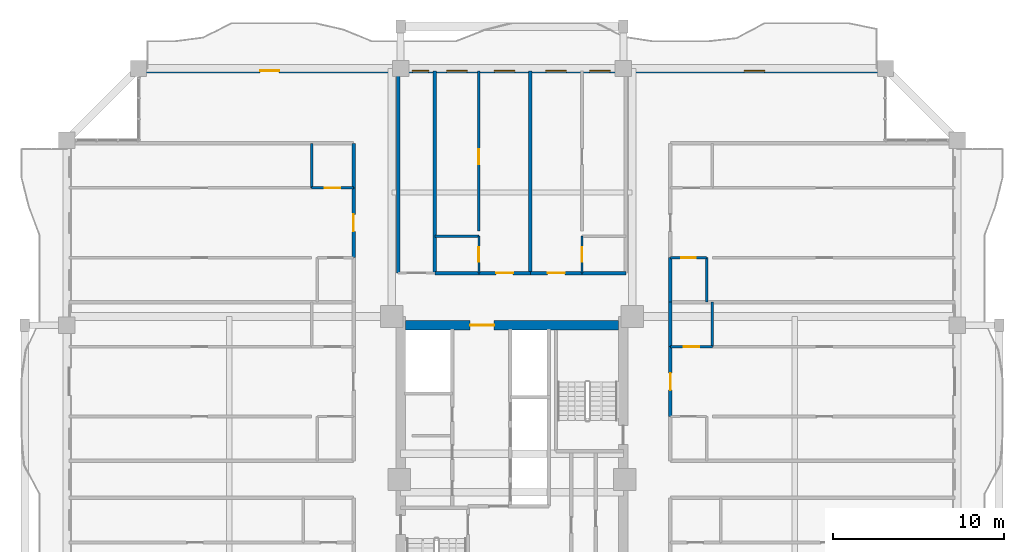
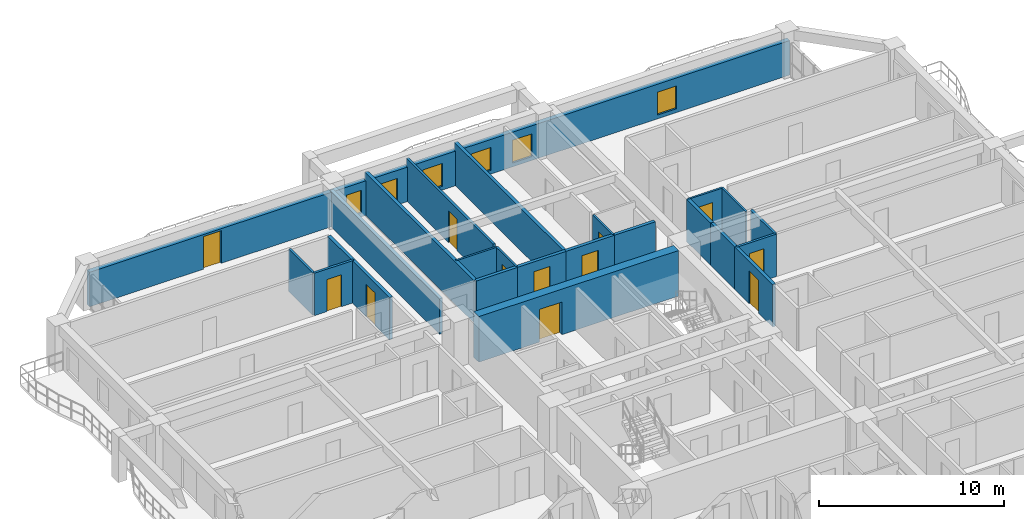
# One storey, part 19 of 25: 24 walls, 12 doors, 6 windows, 18 openings.
"""IFC4 building model written with IfcOpenShell, lengths in metres."""

from ifc_helpers import new_model, si_unit, direction, frame, frame_2d, origin, place, context, subcontext, project, spatial, rectangle, extrude, source, transform, mapped, material, layer, layer_set, type_object, element, fill, save


model = new_model("IFC4")

# Units and contexts
model_context = context("Model", 3, precision=1e-05, world=origin(), true_north=direction((0.0, 1.0)))
body_context = subcontext(model_context, "Body", "Model", "MODEL_VIEW")
ifc_project = project(units=[si_unit("LENGTHUNIT", "METRE"), si_unit("AREAUNIT", "SQUARE_METRE"), si_unit("VOLUMEUNIT", "CUBIC_METRE"), si_unit("PLANEANGLEUNIT", "RADIAN"), si_unit("MASSUNIT", "GRAM", prefix="KILO")], contexts=[model_context])

# Site, building, storey
site_placement = place(None, origin())
site = spatial("IfcSite", under=ifc_project, at=site_placement, CompositionType="ELEMENT")
building_placement = place(site_placement, origin())
building = spatial("IfcBuilding", under=site, at=building_placement, Name="Saelheon Loggia Tower", CompositionType="ELEMENT")
storey_placement = place(building_placement, frame((0.0, 0.0, 107.85009765625)))
storey = spatial("IfcBuildingStorey", under=building, at=storey_placement, Name="L34", CompositionType="ELEMENT", Elevation=107.85009765625)

# Wall, opening, door
ifc_material_1 = material(Name="Concrete C50/60", Category="concrete")
ifc_layer_1 = layer(ifc_material_1, 0.550048828125)
ifc_layer_set_1 = layer_set([ifc_layer_1], Name="Concrete C50/60")
wall_type_1 = type_object("IfcWallType", Name="Wall_CoreShear_550", PredefinedType="SHEAR", material=ifc_layer_set_1)
wall_1_placement = place(storey_placement, frame((31.77490234375, 36.0, 0.0), z_axis=(0.0, 0.0, 1.0), x_axis=(1.0, 0.0, 0.0)))
wall_1 = element("IfcWall", 1, at=wall_1_placement, inside=storey, type_object=wall_type_1, Name="L34 Core Shear Wall North", PredefinedType="SHEAR", context=body_context, shape_type="SweptSolid", body=[
    extrude(rectangle(XDim=12.4501953125, YDim=0.550048828125, at=frame_2d((6.22509765625, 0.0))), origin(), (0.0, 0.0, 1.0), 3.0),
])
opening_1_placement = place(wall_1_placement, frame((5.1748046875, 0.0, 0.0), z_axis=(0.0, 0.0, 1.0), x_axis=(-1.0, 0.0, 0.0)))
opening_1 = element("IfcOpeningElement", 2, at=opening_1_placement, cuts=wall_1, Name="Opening D-FD2L", PredefinedType="OPENING", context=body_context, shape_type="SweptSolid", body=[
    extrude(rectangle(XDim=1.39990234375, YDim=2.14990234375, at=frame_2d((0.699951171875, 1.074951171875))), frame((0.0, 0.287109375, 0.0), z_axis=(0.0, -1.0, 0.0), x_axis=(1.0, 0.0, 0.0)), (0.0, 0.0, 1.0), 0.573974609375),
])
ifc_material_2 = material(Name="Galvanised Steel Glazed Lobby Fire Door", Category="steel")
door_type_1 = type_object("IfcDoorType", Name="Door_Fire_FD60_1400", OperationType="NOTDEFINED", PredefinedType="DOOR", material=ifc_material_2)
shared_shape_1 = source(origin(), body_context, "Body", "SweptSolid", [
    extrude(rectangle(XDim=1.39990234375, YDim=2.14990234375, at=frame_2d((0.699951171875, 1.074951171875))), frame((0.0, 0.02490234375, 0.0), z_axis=(0.0, -1.0, 0.0), x_axis=(1.0, 0.0, 0.0)), (0.0, 0.0, 1.0), 0.050048828125),
])
door_1_placement = place(opening_1_placement, origin())
door_1 = element("IfcDoor", 3, at=door_1_placement, inside=storey, type_object=door_type_1, Name="L34 Passenger Lift Lobby Main Door", OperationType="SINGLE_SWING_RIGHT", OverallHeight=2.14990234375, OverallWidth=1.39990234375, PredefinedType="DOOR", context=body_context, shape_type="MappedRepresentation", body=[
    mapped(shared_shape_1, transform((0.0, 0.0, 0.0), scale=1.0)),
])
fill(opening_1, door_1)

# Wall, openings, windows, door
ifc_material_3 = material(Name="Architectural Precast Concrete C40/50", Category="concrete")
ifc_layer_2 = layer(ifc_material_3, 0.280029296875)
ifc_layer_set_2 = layer_set([ifc_layer_2], Name="Architectural Precast Concrete C40/50")
wall_type_2 = type_object("IfcWallType", Name="Wall_Ext_Loggia_280", PredefinedType="SOLIDWALL", material=ifc_layer_set_2)
wall_2_placement = place(storey_placement, frame((16.199951171875, 50.860107421875, 0.0), z_axis=(0.0, 0.0, 1.0), x_axis=(1.0, 0.0, 0.0)))
wall_2 = element("IfcWall", 4, at=wall_2_placement, inside=storey, type_object=wall_type_2, Name="L34 North Loggia Inner Wall", PredefinedType="SOLIDWALL", context=body_context, shape_type="SweptSolid", body=[
    extrude(rectangle(XDim=43.60009765625, YDim=0.280029296875, at=frame_2d((21.800048828125, 0.0))), origin(), (0.0, 0.0, 1.0), 2.27978515625),
])
opening_2_placement = place(wall_2_placement, frame((7.10009765625, 0.0, 0.0)))
opening_2 = element("IfcOpeningElement", 5, at=opening_2_placement, cuts=wall_2, Name="Opening TD1", PredefinedType="OPENING", context=body_context, shape_type="SweptSolid", body=[
    extrude(rectangle(XDim=1.10009765625, YDim=2.14990234375, at=frame_2d((0.550048828125, 1.074951171875))), frame((0.0, 0.152099609375, 0.0), z_axis=(0.0, -1.0, 0.0), x_axis=(1.0, 0.0, 0.0)), (0.0, 0.0, 1.0), 0.303955078125),
])
opening_3_placement = place(wall_2_placement, frame((15.982421875, 0.0, 0.25)))
opening_3 = element("IfcOpeningElement", 6, at=opening_3_placement, cuts=wall_2, Name="Opening WN-04", PredefinedType="OPENING", context=body_context, shape_type="SweptSolid", body=[
    extrude(rectangle(XDim=0.949951171875, YDim=1.5, at=frame_2d((0.47509765625, 0.75))), frame((0.0, 0.152099609375, 0.0), z_axis=(0.0, -1.0, 0.0), x_axis=(1.0, 0.0, 0.0)), (0.0, 0.0, 1.0), 0.303955078125),
])
opening_4_placement = place(wall_2_placement, frame((17.982421875, 0.0, 0.25)))
opening_4 = element("IfcOpeningElement", 7, at=opening_4_placement, cuts=wall_2, Name="Opening WN-03", PredefinedType="OPENING", context=body_context, shape_type="SweptSolid", body=[
    extrude(rectangle(XDim=1.199951171875, YDim=1.5, at=frame_2d((0.60009765625, 0.75))), frame((0.0, 0.152099609375, 0.0), z_axis=(0.0, -1.0, 0.0), x_axis=(1.0, 0.0, 0.0)), (0.0, 0.0, 1.0), 0.303955078125),
])
opening_5_placement = place(wall_2_placement, frame((20.769775390625, 0.0, 0.25)))
opening_5 = element("IfcOpeningElement", 8, at=opening_5_placement, cuts=wall_2, Name="Opening WN-03", PredefinedType="OPENING", context=body_context, shape_type="SweptSolid", body=[
    extrude(rectangle(XDim=1.199951171875, YDim=1.5, at=frame_2d((0.60009765625, 0.75))), frame((0.0, 0.152099609375, 0.0), z_axis=(0.0, -1.0, 0.0), x_axis=(1.0, 0.0, 0.0)), (0.0, 0.0, 1.0), 0.303955078125),
])
opening_6_placement = place(wall_2_placement, frame((23.7802734375, 0.0, 0.25)))
opening_6 = element("IfcOpeningElement", 9, at=opening_6_placement, cuts=wall_2, Name="Opening WN-03", PredefinedType="OPENING", context=body_context, shape_type="SweptSolid", body=[
    extrude(rectangle(XDim=1.199951171875, YDim=1.5, at=frame_2d((0.60009765625, 0.75))), frame((0.0, 0.152099609375, 0.0), z_axis=(0.0, -1.0, 0.0), x_axis=(1.0, 0.0, 0.0)), (0.0, 0.0, 1.0), 0.303955078125),
])
opening_7_placement = place(wall_2_placement, frame((26.335205078125, 0.0, 0.25)))
opening_7 = element("IfcOpeningElement", 10, at=opening_7_placement, cuts=wall_2, Name="Opening WN-03", PredefinedType="OPENING", context=body_context, shape_type="SweptSolid", body=[
    extrude(rectangle(XDim=1.199951171875, YDim=1.5, at=frame_2d((0.60009765625, 0.75))), frame((0.0, 0.152099609375, 0.0), z_axis=(0.0, -1.0, 0.0), x_axis=(1.0, 0.0, 0.0)), (0.0, 0.0, 1.0), 0.303955078125),
])
opening_8_placement = place(wall_2_placement, frame((35.35009765625, 0.0, 0.25)))
opening_8 = element("IfcOpeningElement", 11, at=opening_8_placement, cuts=wall_2, Name="Opening WN-03", PredefinedType="OPENING", context=body_context, shape_type="SweptSolid", body=[
    extrude(rectangle(XDim=1.199951171875, YDim=1.5, at=frame_2d((0.60009765625, 0.75))), frame((0.0, 0.152099609375, 0.0), z_axis=(0.0, -1.0, 0.0), x_axis=(1.0, 0.0, 0.0)), (0.0, 0.0, 1.0), 0.303955078125),
])
ifc_material_4 = material(Name="Thermal-Break Aluminium and Triple Low-E Glass", Category="aluminium")
window_type_1 = type_object("IfcWindowType", Name="Win_Bedroom_1200x1500", PartitioningType="SINGLE_PANEL", PredefinedType="WINDOW", material=ifc_material_4)
shared_shape_2 = source(origin(), body_context, "Body", "SweptSolid", [
    extrude(rectangle(XDim=1.199951171875, YDim=1.5, at=frame_2d((0.60009765625, 0.75))), frame((0.0, 0.030029296875, 0.0), z_axis=(0.0, -1.0, 0.0), x_axis=(1.0, 0.0, 0.0)), (0.0, 0.0, 1.0), 0.06005859375),
])
window_1_placement = place(opening_4_placement, origin())
window_1 = element("IfcWindow", 12, at=window_1_placement, inside=storey, type_object=window_type_1, Name="L34 N Dwelling Window 3", OverallHeight=1.5, OverallWidth=1.199951171875, PartitioningType="SINGLE_PANEL", PredefinedType="WINDOW", context=body_context, shape_type="MappedRepresentation", body=[
    mapped(shared_shape_2, transform((0.0, 0.0, 0.0), scale=1.0)),
])
fill(opening_4, window_1)
window_2_placement = place(opening_5_placement, origin())
window_2 = element("IfcWindow", 13, at=window_2_placement, inside=storey, type_object=window_type_1, Name="L34 N Dwelling Window 4", OverallHeight=1.5, OverallWidth=1.199951171875, PartitioningType="SINGLE_PANEL", PredefinedType="WINDOW", context=body_context, shape_type="MappedRepresentation", body=[
    mapped(shared_shape_2, transform((0.0, 0.0, 0.0), scale=1.0)),
])
fill(opening_5, window_2)
window_3_placement = place(opening_6_placement, origin())
window_3 = element("IfcWindow", 14, at=window_3_placement, inside=storey, type_object=window_type_1, Name="L34 N Dwelling Window 5", OverallHeight=1.5, OverallWidth=1.199951171875, PartitioningType="SINGLE_PANEL", PredefinedType="WINDOW", context=body_context, shape_type="MappedRepresentation", body=[
    mapped(shared_shape_2, transform((0.0, 0.0, 0.0), scale=1.0)),
])
fill(opening_6, window_3)
window_4_placement = place(opening_7_placement, origin())
window_4 = element("IfcWindow", 15, at=window_4_placement, inside=storey, type_object=window_type_1, Name="L34 N Dwelling Window 6", OverallHeight=1.5, OverallWidth=1.199951171875, PartitioningType="SINGLE_PANEL", PredefinedType="WINDOW", context=body_context, shape_type="MappedRepresentation", body=[
    mapped(shared_shape_2, transform((0.0, 0.0, 0.0), scale=1.0)),
])
fill(opening_7, window_4)
window_5_placement = place(opening_8_placement, origin())
window_5 = element("IfcWindow", 16, at=window_5_placement, inside=storey, type_object=window_type_1, Name="L34 N Dwelling Window 7", OverallHeight=1.5, OverallWidth=1.199951171875, PartitioningType="SINGLE_PANEL", PredefinedType="WINDOW", context=body_context, shape_type="MappedRepresentation", body=[
    mapped(shared_shape_2, transform((0.0, 0.0, 0.0), scale=1.0)),
])
fill(opening_8, window_5)
ifc_material_5 = material(Name="Thermal-Break Aluminium Glazed Door", Category="aluminium")
door_type_2 = type_object("IfcDoorType", Name="Door_Terrace_TD1", OperationType="NOTDEFINED", PredefinedType="DOOR", material=ifc_material_5)
shared_shape_3 = source(origin(), body_context, "Body", "SweptSolid", [
    extrude(rectangle(XDim=1.10009765625, YDim=2.14990234375, at=frame_2d((0.550048828125, 1.074951171875))), frame((0.0, 0.02490234375, 0.0), z_axis=(0.0, -1.0, 0.0), x_axis=(1.0, 0.0, 0.0)), (0.0, 0.0, 1.0), 0.050048828125),
])
door_2_placement = place(opening_2_placement, origin())
door_2 = element("IfcDoor", 17, at=door_2_placement, inside=storey, type_object=door_type_2, Name="L34 N Loggia Access Door", OperationType="SINGLE_SWING_LEFT", OverallHeight=2.14990234375, OverallWidth=1.10009765625, PredefinedType="DOOR", context=body_context, shape_type="MappedRepresentation", body=[
    mapped(shared_shape_3, transform((0.0, 0.0, 0.0), scale=1.0)),
])
fill(opening_2, door_2)
window_type_2 = type_object("IfcWindowType", Name="Win_Narrow_950x1500", PartitioningType="SINGLE_PANEL", PredefinedType="WINDOW", material=ifc_material_4)
shared_shape_4 = source(origin(), body_context, "Body", "SweptSolid", [
    extrude(rectangle(XDim=0.949951171875, YDim=1.5, at=frame_2d((0.47509765625, 0.75))), frame((0.0, 0.030029296875, 0.0), z_axis=(0.0, -1.0, 0.0), x_axis=(1.0, 0.0, 0.0)), (0.0, 0.0, 1.0), 0.06005859375),
])
window_6_placement = place(opening_3_placement, origin())
window_6 = element("IfcWindow", 18, at=window_6_placement, inside=storey, type_object=window_type_2, Name="L34 N Dwelling Window 2", OverallHeight=1.5, OverallWidth=0.949951171875, PartitioningType="SINGLE_PANEL", PredefinedType="WINDOW", context=body_context, shape_type="MappedRepresentation", body=[
    mapped(shared_shape_4, transform((0.0, 0.0, 0.0), scale=1.0)),
])
fill(opening_3, window_6)

# Wall, opening, door
ifc_material_6 = material(Name="Lightweight Autoclaved Aerated Concrete Block and Acoustic Gypsum", Category="concrete")
ifc_layer_3 = layer(ifc_material_6, 0.14990234375)
ifc_layer_set_3 = layer_set([ifc_layer_3], Name="Lightweight Autoclaved Aerated Concrete Block and Acoustic Gypsum")
wall_type_3 = type_object("IfcWallType", Name="Wall_Part_150", PredefinedType="PARTITIONING", material=ifc_layer_set_3)
wall_3_placement = place(storey_placement, frame((36.064453125, 41.5, 0.0), z_axis=(0.0, 0.0, 1.0), x_axis=(0.0, 1.0, 0.0)))
wall_3 = element("IfcWall", 19, at=wall_3_placement, inside=storey, type_object=wall_type_3, Name="L34 N Partition U09", PredefinedType="PARTITIONING", context=body_context, shape_type="SweptSolid", body=[
    extrude(rectangle(XDim=9.35009765625, YDim=0.14990234375, at=frame_2d((4.675048828125, 0.0))), origin(), (0.0, 0.0, 1.0), 2.789794921875),
])
opening_9_placement = place(wall_3_placement, frame((3.892822265625, 0.0, 0.0)))
opening_9 = element("IfcOpeningElement", 20, at=opening_9_placement, cuts=wall_3, Name="Opening D-IN2", PredefinedType="OPENING", context=body_context, shape_type="SweptSolid", body=[
    extrude(rectangle(XDim=0.89990234375, YDim=2.10009765625, at=frame_2d((0.449951171875, 1.050048828125))), frame((0.0, 0.0869140625, 0.0), z_axis=(0.0, -1.0, 0.0), x_axis=(1.0, 0.0, 0.0)), (0.0, 0.0, 1.0), 0.173828125),
])
ifc_material_7 = material(Name="Engineered Oak Flush Door", Category="timber")
door_type_3 = type_object("IfcDoorType", Name="Door_Int_900", OperationType="NOTDEFINED", PredefinedType="DOOR", material=ifc_material_7)
shared_shape_5 = source(origin(), body_context, "Body", "SweptSolid", [
    extrude(rectangle(XDim=0.89990234375, YDim=2.10009765625, at=frame_2d((0.449951171875, 1.050048828125))), frame((0.0, 0.02490234375, 0.0), z_axis=(0.0, -1.0, 0.0), x_axis=(1.0, 0.0, 0.0)), (0.0, 0.0, 1.0), 0.050048828125),
])
door_3_placement = place(opening_9_placement, origin())
door_3 = element("IfcDoor", 21, at=door_3_placement, inside=storey, type_object=door_type_3, Name="Unit U04 Kitchen Door", OperationType="SINGLE_SWING_RIGHT", OverallHeight=2.10009765625, OverallWidth=0.89990234375, PredefinedType="DOOR", context=body_context, shape_type="MappedRepresentation", body=[
    mapped(shared_shape_5, transform((0.0, 0.0, 0.0), scale=1.0)),
])
fill(opening_9, door_3)

# Wall
wall_4_placement = place(storey_placement, frame((26.300048828125, 44.02001953125, 0.0), z_axis=(0.0, 0.0, 1.0), x_axis=(0.0, 1.0, 0.0)))
element("IfcWall", 22, at=wall_4_placement, inside=storey, type_object=wall_type_3, Name="L34 WN Partition V17", PredefinedType="PARTITIONING", context=body_context, shape_type="SweptSolid", body=[
    extrude(rectangle(XDim=2.60009765625, YDim=0.14990234375, at=frame_2d((1.300048828125, 0.0))), origin(), (0.0, 0.0, 1.0), 2.789794921875),
])

# Wall, opening, door
wall_5_placement = place(storey_placement, frame((28.75, 44.02001953125, 0.0), z_axis=(0.0, 0.0, 1.0), x_axis=(-1.0, 0.0, 0.0)))
wall_5 = element("IfcWall", 23, at=wall_5_placement, inside=storey, type_object=wall_type_3, Name="L34 WN Partition U20", PredefinedType="PARTITIONING", context=body_context, shape_type="SweptSolid", body=[
    extrude(rectangle(XDim=2.449951171875, YDim=0.14990234375, at=frame_2d((1.22509765625, 0.0))), origin(), (0.0, 0.0, 1.0), 2.789794921875),
])
opening_10_placement = place(wall_5_placement, frame((0.77490234375, 0.0, 0.0)))
opening_10 = element("IfcOpeningElement", 24, at=opening_10_placement, cuts=wall_5, Name="Opening D-IN2", PredefinedType="OPENING", context=body_context, shape_type="SweptSolid", body=[
    extrude(rectangle(XDim=0.89990234375, YDim=2.10009765625, at=frame_2d((0.449951171875, 1.050048828125))), frame((0.0, 0.0869140625, 0.0), z_axis=(0.0, -1.0, 0.0), x_axis=(1.0, 0.0, 0.0)), (0.0, 0.0, 1.0), 0.173828125),
])
door_4_placement = place(opening_10_placement, origin())
door_4 = element("IfcDoor", 25, at=door_4_placement, inside=storey, type_object=door_type_3, Name="Unit U09 Dressing Closet Door", OperationType="SINGLE_SWING_RIGHT", OverallHeight=2.10009765625, OverallWidth=0.89990234375, PredefinedType="DOOR", context=body_context, shape_type="MappedRepresentation", body=[
    mapped(shared_shape_5, transform((0.0, 0.0, 0.0), scale=1.0)),
])
fill(opening_10, door_4)

# Wall
wall_6_placement = place(storey_placement, frame((49.699951171875, 34.75, 0.0), z_axis=(0.0, 0.0, 1.0), x_axis=(0.0, 1.0, 0.0)))
element("IfcWall", 26, at=wall_6_placement, inside=storey, type_object=wall_type_3, Name="L34 EN Partition V07", PredefinedType="PARTITIONING", context=body_context, shape_type="SweptSolid", body=[
    extrude(rectangle(XDim=2.60009765625, YDim=0.14990234375, at=frame_2d((1.300048828125, 0.0))), origin(), (0.0, 0.0, 1.0), 2.789794921875),
])

# Wall, opening, door
wall_7_placement = place(storey_placement, frame((47.25, 34.75, 0.0), z_axis=(0.0, 0.0, 1.0), x_axis=(1.0, 0.0, 0.0)))
wall_7 = element("IfcWall", 27, at=wall_7_placement, inside=storey, type_object=wall_type_3, Name="L34 EN Partition U10", PredefinedType="PARTITIONING", context=body_context, shape_type="SweptSolid", body=[
    extrude(rectangle(XDim=2.449951171875, YDim=0.14990234375, at=frame_2d((1.22509765625, 0.0))), origin(), (0.0, 0.0, 1.0), 2.789794921875),
])
opening_11_placement = place(wall_7_placement, frame((0.77490234375, 0.0, 0.0)))
opening_11 = element("IfcOpeningElement", 28, at=opening_11_placement, cuts=wall_7, Name="Opening D-IN2", PredefinedType="OPENING", context=body_context, shape_type="SweptSolid", body=[
    extrude(rectangle(XDim=0.89990234375, YDim=2.10009765625, at=frame_2d((0.449951171875, 1.050048828125))), frame((0.0, 0.0869140625, 0.0), z_axis=(0.0, -1.0, 0.0), x_axis=(1.0, 0.0, 0.0)), (0.0, 0.0, 1.0), 0.173828125),
])
door_5_placement = place(opening_11_placement, origin())
door_5 = element("IfcDoor", 29, at=door_5_placement, inside=storey, type_object=door_type_3, Name="Unit U12 Dressing Closet Door", OperationType="SINGLE_SWING_LEFT", OverallHeight=2.10009765625, OverallWidth=0.89990234375, PredefinedType="DOOR", context=body_context, shape_type="MappedRepresentation", body=[
    mapped(shared_shape_5, transform((0.0, 0.0, 0.0), scale=1.0)),
])
fill(opening_11, door_5)

# Walls
ifc_material_8 = material(Name="Double Acoustic Stud and Fireboard Partition", Category="gypsum")
ifc_layer_4 = layer(ifc_material_8, 0.199951171875)
ifc_layer_set_4 = layer_set([ifc_layer_4], Name="Double Acoustic Stud and Fireboard Partition")
wall_type_4 = type_object("IfcWallType", Name="Wall_Party_200", PredefinedType="PARTITIONING", material=ifc_layer_set_4)
wall_8_placement = place(storey_placement, frame((31.35009765625, 39.050048828125, 0.0), z_axis=(0.0, 0.0, 1.0), x_axis=(0.0, 1.0, 0.0)))
element("IfcWall", 30, at=wall_8_placement, inside=storey, type_object=wall_type_4, Name="L34 N Partition U01", PredefinedType="PARTITIONING", context=body_context, shape_type="SweptSolid", body=[
    extrude(rectangle(XDim=11.800048828125, YDim=0.199951171875, at=frame_2d((5.89990234375, 0.0))), origin(), (0.0, 0.0, 1.0), 2.33984375),
])
wall_9_placement = place(storey_placement, frame((33.5, 39.050048828125, 0.0), z_axis=(0.0, 0.0, 1.0), x_axis=(0.0, 1.0, 0.0)))
element("IfcWall", 31, at=wall_9_placement, inside=storey, type_object=wall_type_4, Name="L34 N Partition U03", PredefinedType="PARTITIONING", context=body_context, shape_type="SweptSolid", body=[
    extrude(rectangle(XDim=11.800048828125, YDim=0.199951171875, at=frame_2d((5.89990234375, 0.0))), origin(), (0.0, 0.0, 1.0), 2.789794921875),
])
wall_10_placement = place(storey_placement, frame((33.5, 39.050048828125, 0.0), z_axis=(0.0, 0.0, 1.0), x_axis=(1.0, 0.0, 0.0)))
element("IfcWall", 32, at=wall_10_placement, inside=storey, type_object=wall_type_4, Name="L34 N Partition V05", PredefinedType="PARTITIONING", context=body_context, shape_type="SweptSolid", body=[
    extrude(rectangle(XDim=2.564453125, YDim=0.199951171875, at=frame_2d((1.2822265625, 0.0))), origin(), (0.0, 0.0, 1.0), 2.789794921875),
])

# Wall, opening, door
wall_11_placement = place(storey_placement, frame((36.064453125, 39.050048828125, 0.0), z_axis=(0.0, 0.0, 1.0), x_axis=(1.0, 0.0, 0.0)))
wall_11 = element("IfcWall", 33, at=wall_11_placement, inside=storey, type_object=wall_type_4, Name="L34 N Partition V06", PredefinedType="PARTITIONING", context=body_context, shape_type="SweptSolid", body=[
    extrude(rectangle(XDim=3.010498046875, YDim=0.199951171875, at=frame_2d((1.50537109375, 0.0))), origin(), (0.0, 0.0, 1.0), 2.789794921875),
])
opening_12_placement = place(wall_11_placement, frame((1.00537109375, 0.0, 0.0)))
opening_12 = element("IfcOpeningElement", 34, at=opening_12_placement, cuts=wall_11, Name="Opening D-FD1", PredefinedType="OPENING", context=body_context, shape_type="SweptSolid", body=[
    extrude(rectangle(XDim=1.0, YDim=2.14990234375, at=frame_2d((0.5, 1.074951171875))), frame((0.0, 0.112060546875, 0.0), z_axis=(0.0, -1.0, 0.0), x_axis=(1.0, 0.0, 0.0)), (0.0, 0.0, 1.0), 0.223876953125),
])
ifc_material_9 = material(Name="Fire-Rated Engineered Timber Entrance Door", Category="wood")
door_type_4 = type_object("IfcDoorType", Name="Door_Flat_FD30S", OperationType="NOTDEFINED", PredefinedType="DOOR", material=ifc_material_9)
shared_shape_6 = source(origin(), body_context, "Body", "SweptSolid", [
    extrude(rectangle(XDim=1.0, YDim=2.14990234375, at=frame_2d((0.5, 1.074951171875))), frame((0.0, 0.02490234375, 0.0), z_axis=(0.0, -1.0, 0.0), x_axis=(1.0, 0.0, 0.0)), (0.0, 0.0, 1.0), 0.050048828125),
])
door_6_placement = place(opening_12_placement, origin())
door_6 = element("IfcDoor", 35, at=door_6_placement, inside=storey, type_object=door_type_4, Name="Unit U04 Entrance Door", OperationType="SINGLE_SWING_RIGHT", OverallHeight=2.14990234375, OverallWidth=1.0, PredefinedType="DOOR", context=body_context, shape_type="MappedRepresentation", body=[
    mapped(shared_shape_6, transform((0.0, 0.0, 0.0), scale=1.0)),
])
fill(opening_12, door_6)

# Wall
wall_12_placement = place(storey_placement, frame((39.074951171875, 39.050048828125, 0.0), z_axis=(0.0, 0.0, 1.0), x_axis=(0.0, 1.0, 0.0)))
element("IfcWall", 36, at=wall_12_placement, inside=storey, type_object=wall_type_4, Name="L34 N Partition U10", PredefinedType="PARTITIONING", context=body_context, shape_type="SweptSolid", body=[
    extrude(rectangle(XDim=11.800048828125, YDim=0.199951171875, at=frame_2d((5.89990234375, 0.0))), origin(), (0.0, 0.0, 1.0), 2.789794921875),
])

# Wall, opening, door
wall_13_placement = place(storey_placement, frame((39.074951171875, 39.050048828125, 0.0), z_axis=(0.0, 0.0, 1.0), x_axis=(1.0, 0.0, 0.0)))
wall_13 = element("IfcWall", 37, at=wall_13_placement, inside=storey, type_object=wall_type_4, Name="L34 N Partition V11", PredefinedType="PARTITIONING", context=body_context, shape_type="SweptSolid", body=[
    extrude(rectangle(XDim=3.010498046875, YDim=0.199951171875, at=frame_2d((1.50537109375, 0.0))), origin(), (0.0, 0.0, 1.0), 2.789794921875),
])
opening_13_placement = place(wall_13_placement, frame((1.00537109375, 0.0, 0.0)))
opening_13 = element("IfcOpeningElement", 38, at=opening_13_placement, cuts=wall_13, Name="Opening D-FD1", PredefinedType="OPENING", context=body_context, shape_type="SweptSolid", body=[
    extrude(rectangle(XDim=1.0, YDim=2.14990234375, at=frame_2d((0.5, 1.074951171875))), frame((0.0, 0.112060546875, 0.0), z_axis=(0.0, -1.0, 0.0), x_axis=(1.0, 0.0, 0.0)), (0.0, 0.0, 1.0), 0.223876953125),
])
door_7_placement = place(opening_13_placement, origin())
door_7 = element("IfcDoor", 39, at=door_7_placement, inside=storey, type_object=door_type_4, Name="Unit U05 Entrance Door", OperationType="SINGLE_SWING_LEFT", OverallHeight=2.14990234375, OverallWidth=1.0, PredefinedType="DOOR", context=body_context, shape_type="MappedRepresentation", body=[
    mapped(shared_shape_6, transform((0.0, 0.0, 0.0), scale=1.0)),
])
fill(opening_13, door_7)

# Wall
wall_14_placement = place(storey_placement, frame((42.08544921875, 39.050048828125, 0.0), z_axis=(0.0, 0.0, 1.0), x_axis=(1.0, 0.0, 0.0)))
element("IfcWall", 40, at=wall_14_placement, inside=storey, type_object=wall_type_4, Name="L34 N Partition V12", PredefinedType="PARTITIONING", context=body_context, shape_type="SweptSolid", body=[
    extrude(rectangle(XDim=2.564453125, YDim=0.199951171875, at=frame_2d((1.2822265625, 0.0))), origin(), (0.0, 0.0, 1.0), 2.789794921875),
])

# Wall, opening, door
wall_15_placement = place(storey_placement, frame((28.75, 39.945556640625, 0.0), z_axis=(0.0, 0.0, 1.0), x_axis=(0.0, 1.0, 0.0)))
wall_15 = element("IfcWall", 41, at=wall_15_placement, inside=storey, type_object=wall_type_4, Name="L34 WN Partition V14", PredefinedType="PARTITIONING", context=body_context, shape_type="SweptSolid", body=[
    extrude(rectangle(XDim=4.074462890625, YDim=0.199951171875, at=frame_2d((2.037109375, 0.0))), origin(), (0.0, 0.0, 1.0), 2.789794921875),
])
opening_14_placement = place(wall_15_placement, frame((1.537109375, 0.0, 0.0)))
opening_14 = element("IfcOpeningElement", 42, at=opening_14_placement, cuts=wall_15, Name="Opening D-FD1", PredefinedType="OPENING", context=body_context, shape_type="SweptSolid", body=[
    extrude(rectangle(XDim=1.0, YDim=2.14990234375, at=frame_2d((0.5, 1.074951171875))), frame((0.0, 0.112060546875, 0.0), z_axis=(0.0, -1.0, 0.0), x_axis=(1.0, 0.0, 0.0)), (0.0, 0.0, 1.0), 0.223876953125),
])
door_8_placement = place(opening_14_placement, origin())
door_8 = element("IfcDoor", 43, at=door_8_placement, inside=storey, type_object=door_type_4, Name="Unit U09 Entrance Door", OperationType="SINGLE_SWING_LEFT", OverallHeight=2.14990234375, OverallWidth=1.0, PredefinedType="DOOR", context=body_context, shape_type="MappedRepresentation", body=[
    mapped(shared_shape_6, transform((0.0, 0.0, 0.0), scale=1.0)),
])
fill(opening_14, door_8)

# Wall
wall_16_placement = place(storey_placement, frame((28.75, 44.02001953125, 0.0), z_axis=(0.0, 0.0, 1.0), x_axis=(0.0, 1.0, 0.0)))
element("IfcWall", 44, at=wall_16_placement, inside=storey, type_object=wall_type_4, Name="L34 WN Partition V15", PredefinedType="PARTITIONING", context=body_context, shape_type="SweptSolid", body=[
    extrude(rectangle(XDim=2.60009765625, YDim=0.199951171875, at=frame_2d((1.300048828125, 0.0))), origin(), (0.0, 0.0, 1.0), 2.789794921875),
])

# Wall, opening, door
wall_17_placement = place(storey_placement, frame((47.25, 30.675537109375, 0.0), z_axis=(0.0, 0.0, 1.0), x_axis=(0.0, 1.0, 0.0)))
wall_17 = element("IfcWall", 45, at=wall_17_placement, inside=storey, type_object=wall_type_4, Name="L34 EN Partition V04", PredefinedType="PARTITIONING", context=body_context, shape_type="SweptSolid", body=[
    extrude(rectangle(XDim=4.074462890625, YDim=0.199951171875, at=frame_2d((2.037109375, 0.0))), origin(), (0.0, 0.0, 1.0), 2.789794921875),
])
opening_15_placement = place(wall_17_placement, frame((1.537109375, 0.0, 0.0)))
opening_15 = element("IfcOpeningElement", 46, at=opening_15_placement, cuts=wall_17, Name="Opening D-FD1", PredefinedType="OPENING", context=body_context, shape_type="SweptSolid", body=[
    extrude(rectangle(XDim=1.0, YDim=2.14990234375, at=frame_2d((0.5, 1.074951171875))), frame((0.0, 0.112060546875, 0.0), z_axis=(0.0, -1.0, 0.0), x_axis=(1.0, 0.0, 0.0)), (0.0, 0.0, 1.0), 0.223876953125),
])
door_9_placement = place(opening_15_placement, origin())
door_9 = element("IfcDoor", 47, at=door_9_placement, inside=storey, type_object=door_type_4, Name="Unit U12 Entrance Door", OperationType="SINGLE_SWING_RIGHT", OverallHeight=2.14990234375, OverallWidth=1.0, PredefinedType="DOOR", context=body_context, shape_type="MappedRepresentation", body=[
    mapped(shared_shape_6, transform((0.0, 0.0, 0.0), scale=1.0)),
])
fill(opening_15, door_9)

# Walls
wall_18_placement = place(storey_placement, frame((47.25, 34.75, 0.0), z_axis=(0.0, 0.0, 1.0), x_axis=(0.0, 1.0, 0.0)))
element("IfcWall", 48, at=wall_18_placement, inside=storey, type_object=wall_type_4, Name="L34 EN Partition V05", PredefinedType="PARTITIONING", context=body_context, shape_type="SweptSolid", body=[
    extrude(rectangle(XDim=2.60009765625, YDim=0.199951171875, at=frame_2d((1.300048828125, 0.0))), origin(), (0.0, 0.0, 1.0), 2.789794921875),
])
wall_19_placement = place(storey_placement, frame((47.25, 37.35009765625, 0.0), z_axis=(0.0, 0.0, 1.0), x_axis=(0.0, 1.0, 0.0)))
element("IfcWall", 49, at=wall_19_placement, inside=storey, type_object=wall_type_4, Name="L34 EN Partition V13", PredefinedType="PARTITIONING", context=body_context, shape_type="SweptSolid", body=[
    extrude(rectangle(XDim=2.595458984375, YDim=0.199951171875, at=frame_2d((1.2978515625, 0.0))), origin(), (0.0, 0.0, 1.0), 2.789794921875),
])

# Wall, opening, door
ifc_material_10 = material(Name="Moisture-Resistant Cement Board Partition", Category="gypsum")
ifc_layer_5 = layer(ifc_material_10, 0.1201171875)
ifc_layer_set_5 = layer_set([ifc_layer_5], Name="Moisture-Resistant Cement Board Partition")
wall_type_5 = type_object("IfcWallType", Name="Wall_WetPart_120", PredefinedType="PARTITIONING", material=ifc_layer_set_5)
wall_20_placement = place(storey_placement, frame((36.064453125, 39.050048828125, 0.0), z_axis=(0.0, 0.0, 1.0), x_axis=(0.0, 1.0, 0.0)))
wall_20 = element("IfcWall", 50, at=wall_20_placement, inside=storey, type_object=wall_type_5, Name="L34 N Partition U07", PredefinedType="PARTITIONING", context=body_context, shape_type="SweptSolid", body=[
    extrude(rectangle(XDim=2.14990234375, YDim=0.1201171875, at=frame_2d((1.074951171875, 0.0))), origin(), (0.0, 0.0, 1.0), 2.789794921875),
])
opening_16_placement = place(wall_20_placement, frame((0.64990234375, 0.0, 0.0)))
opening_16 = element("IfcOpeningElement", 51, at=opening_16_placement, cuts=wall_20, Name="Opening D-BT1", PredefinedType="OPENING", context=body_context, shape_type="SweptSolid", body=[
    extrude(rectangle(XDim=0.85009765625, YDim=2.050048828125, at=frame_2d((0.425048828125, 1.02490234375))), frame((0.0, 0.072021484375, 0.0), z_axis=(0.0, -1.0, 0.0), x_axis=(1.0, 0.0, 0.0)), (0.0, 0.0, 1.0), 0.14404296875),
])
ifc_material_11 = material(Name="Moisture-Resistant Laminate Timber Door", Category="wood")
door_type_5 = type_object("IfcDoorType", Name="Door_Bath_850", OperationType="NOTDEFINED", PredefinedType="DOOR", material=ifc_material_11)
shared_shape_7 = source(origin(), body_context, "Body", "SweptSolid", [
    extrude(rectangle(XDim=0.85009765625, YDim=2.050048828125, at=frame_2d((0.425048828125, 1.02490234375))), frame((0.0, 0.02490234375, 0.0), z_axis=(0.0, -1.0, 0.0), x_axis=(1.0, 0.0, 0.0)), (0.0, 0.0, 1.0), 0.050048828125),
])
door_10_placement = place(opening_16_placement, origin())
door_10 = element("IfcDoor", 52, at=door_10_placement, inside=storey, type_object=door_type_5, Name="Unit U04 Bathroom Door", OperationType="SINGLE_SWING_LEFT", OverallHeight=2.050048828125, OverallWidth=0.85009765625, PredefinedType="DOOR", context=body_context, shape_type="MappedRepresentation", body=[
    mapped(shared_shape_7, transform((0.0, 0.0, 0.0), scale=1.0)),
])
fill(opening_16, door_10)

# Wall
wall_21_placement = place(storey_placement, frame((33.5, 41.199951171875, 0.0), z_axis=(0.0, 0.0, 1.0), x_axis=(1.0, 0.0, 0.0)))
element("IfcWall", 53, at=wall_21_placement, inside=storey, type_object=wall_type_5, Name="L34 N Partition V08", PredefinedType="PARTITIONING", context=body_context, shape_type="SweptSolid", body=[
    extrude(rectangle(XDim=2.564453125, YDim=0.1201171875, at=frame_2d((1.2822265625, 0.0))), origin(), (0.0, 0.0, 1.0), 2.789794921875),
])

# Wall, opening, door
wall_22_placement = place(storey_placement, frame((42.08544921875, 39.050048828125, 0.0), z_axis=(0.0, 0.0, 1.0), x_axis=(0.0, 1.0, 0.0)))
wall_22 = element("IfcWall", 54, at=wall_22_placement, inside=storey, type_object=wall_type_5, Name="L34 N Partition U13", PredefinedType="PARTITIONING", context=body_context, shape_type="SweptSolid", body=[
    extrude(rectangle(XDim=2.14990234375, YDim=0.1201171875, at=frame_2d((1.074951171875, 0.0))), origin(), (0.0, 0.0, 1.0), 2.789794921875),
])
opening_17_placement = place(wall_22_placement, frame((0.64990234375, 0.0, 0.0)))
opening_17 = element("IfcOpeningElement", 55, at=opening_17_placement, cuts=wall_22, Name="Opening D-BT1", PredefinedType="OPENING", context=body_context, shape_type="SweptSolid", body=[
    extrude(rectangle(XDim=0.85009765625, YDim=2.050048828125, at=frame_2d((0.425048828125, 1.02490234375))), frame((0.0, 0.072021484375, 0.0), z_axis=(0.0, -1.0, 0.0), x_axis=(1.0, 0.0, 0.0)), (0.0, 0.0, 1.0), 0.14404296875),
])
door_11_placement = place(opening_17_placement, origin())
door_11 = element("IfcDoor", 56, at=door_11_placement, inside=storey, type_object=door_type_5, Name="Unit U05 Bathroom Door", OperationType="SINGLE_SWING_RIGHT", OverallHeight=2.050048828125, OverallWidth=0.85009765625, PredefinedType="DOOR", context=body_context, shape_type="MappedRepresentation", body=[
    mapped(shared_shape_7, transform((0.0, 0.0, 0.0), scale=1.0)),
])
fill(opening_17, door_11)

# Wall
wall_23_placement = place(storey_placement, frame((49.3701171875, 37.35009765625, 0.0), z_axis=(0.0, 0.0, 1.0), x_axis=(0.0, 1.0, 0.0)))
element("IfcWall", 57, at=wall_23_placement, inside=storey, type_object=wall_type_5, Name="L34 EN Partition V16", PredefinedType="PARTITIONING", context=body_context, shape_type="SweptSolid", body=[
    extrude(rectangle(XDim=2.595458984375, YDim=0.1201171875, at=frame_2d((1.2978515625, 0.0))), origin(), (0.0, 0.0, 1.0), 2.789794921875),
])

# Wall, opening, door
wall_24_placement = place(storey_placement, frame((47.25, 39.945556640625, 0.0), z_axis=(0.0, 0.0, 1.0), x_axis=(1.0, 0.0, 0.0)))
wall_24 = element("IfcWall", 58, at=wall_24_placement, inside=storey, type_object=wall_type_5, Name="L34 EN Partition U18", PredefinedType="PARTITIONING", context=body_context, shape_type="SweptSolid", body=[
    extrude(rectangle(XDim=2.1201171875, YDim=0.1201171875, at=frame_2d((1.06005859375, 0.0))), origin(), (0.0, 0.0, 1.0), 2.789794921875),
])
opening_18_placement = place(wall_24_placement, frame((0.635009765625, 0.0, 0.0)))
opening_18 = element("IfcOpeningElement", 59, at=opening_18_placement, cuts=wall_24, Name="Opening D-BT1", PredefinedType="OPENING", context=body_context, shape_type="SweptSolid", body=[
    extrude(rectangle(XDim=0.85009765625, YDim=2.050048828125, at=frame_2d((0.425048828125, 1.02490234375))), frame((0.0, 0.072021484375, 0.0), z_axis=(0.0, -1.0, 0.0), x_axis=(1.0, 0.0, 0.0)), (0.0, 0.0, 1.0), 0.14404296875),
])
door_12_placement = place(opening_18_placement, origin())
door_12 = element("IfcDoor", 60, at=door_12_placement, inside=storey, type_object=door_type_5, Name="Unit U13 Bathroom Door", OperationType="SINGLE_SWING_RIGHT", OverallHeight=2.050048828125, OverallWidth=0.85009765625, PredefinedType="DOOR", context=body_context, shape_type="MappedRepresentation", body=[
    mapped(shared_shape_7, transform((0.0, 0.0, 0.0), scale=1.0)),
])
fill(opening_18, door_12)

save(model, "model.ifc")
